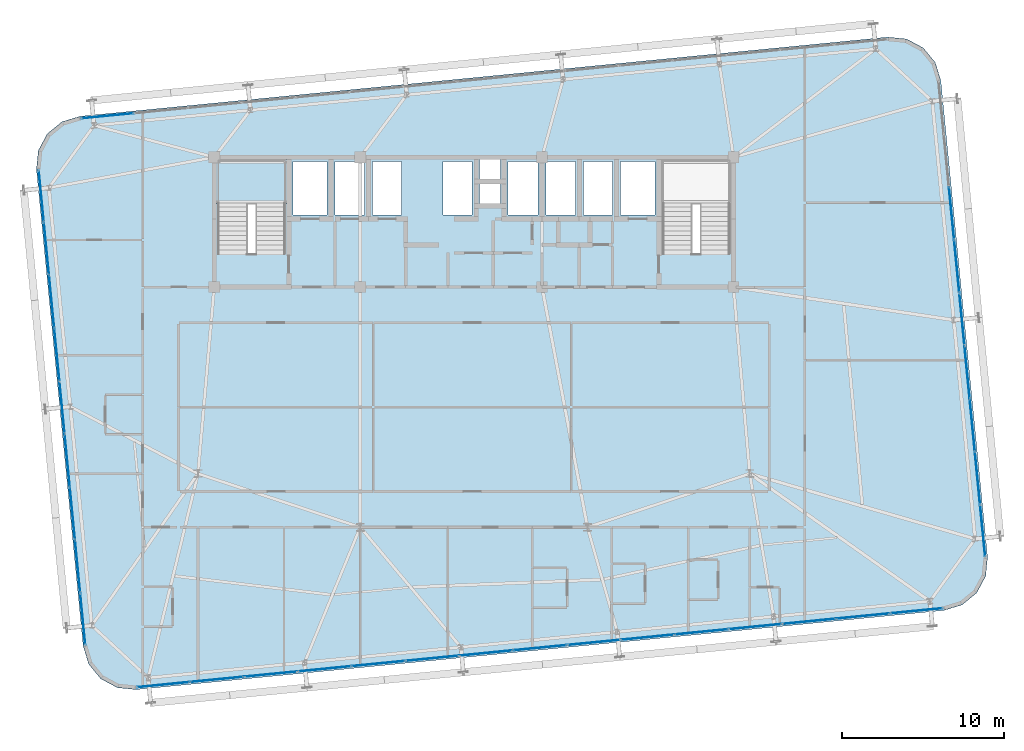
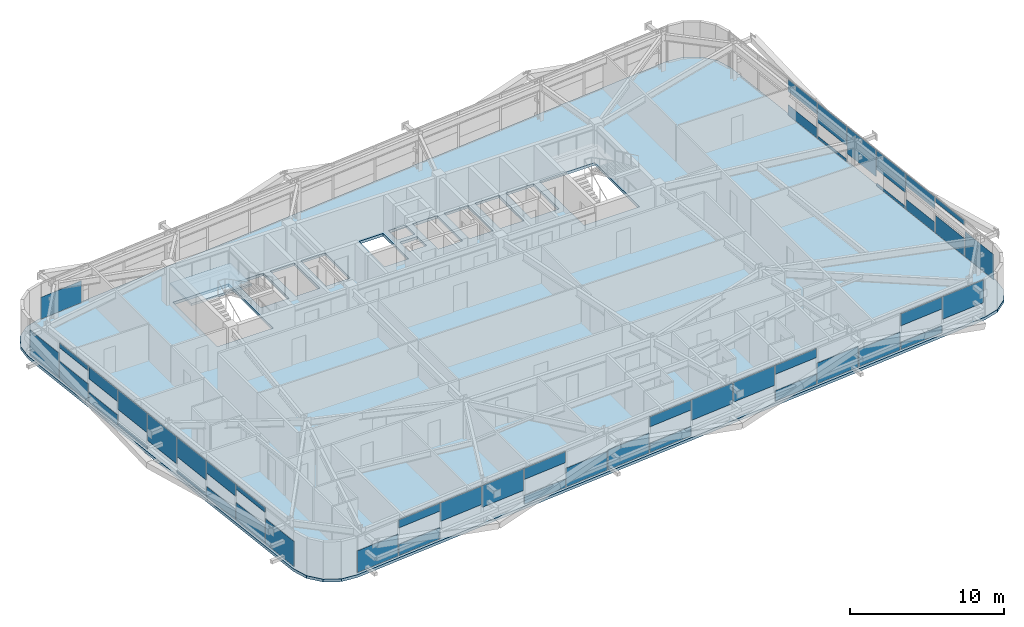
# One storey, part 36 of 54: 48 plates, 2 slabs, 5 elements without a shape of their own.
"""IFC4 building model written with IfcOpenShell, lengths in metres."""

from ifc_helpers import new_model, si_unit, direction, frame, origin, origin_2d, place, context, subcontext, project, spatial, polyline, rectangle, outline, extrude, source, transform, mapped, material, layer, layer_set, type_object, element, aggregate, save


model = new_model("IFC4")

# Units and contexts
model_context = context("Model", 3, precision=1e-05, world=origin(), true_north=direction((0.0, 1.0)))
body_context = subcontext(model_context, "Body", "Model", "MODEL_VIEW")
ifc_project = project(units=[si_unit("LENGTHUNIT", "METRE"), si_unit("AREAUNIT", "SQUARE_METRE"), si_unit("VOLUMEUNIT", "CUBIC_METRE"), si_unit("PLANEANGLEUNIT", "RADIAN"), si_unit("MASSUNIT", "GRAM", prefix="KILO")], contexts=[model_context])

# Site, building, storey
site_placement = place(None, origin())
site = spatial("IfcSite", under=ifc_project, at=site_placement, CompositionType="ELEMENT")
building_placement = place(site_placement, origin())
building = spatial("IfcBuilding", under=site, at=building_placement, Name="Taldren Reach Tower", CompositionType="ELEMENT")
storey_placement = place(building_placement, frame((0.0, 0.0, 102.89990234375)))
storey = spatial("IfcBuildingStorey", under=building, at=storey_placement, Name="L31", CompositionType="ELEMENT", Elevation=102.89990234375)

# Slab
ifc_material_1 = material(Name="Concrete N40 (40 MPa)", Category="concrete")
ifc_layer_1 = layer(ifc_material_1, 0.219970703125)
ifc_layer_set_1 = layer_set([ifc_layer_1], Name="Concrete N40 (40 MPa)")
slab_type_1 = type_object("IfcSlabType", Name="SL-FLR-220", PredefinedType="FLOOR", material=ifc_layer_set_1)
slab_1_placement = place(storey_placement, frame((0.0, 0.0, -0.219970703125)))
element("IfcSlab", 1, at=slab_1_placement, inside=storey, type_object=slab_type_1, Name="Suspended floor slab L31", PredefinedType="FLOOR", context=body_context, shape_type="SweptSolid", body=[
    extrude(outline(polyline([(63.962890625, 4.07421875), (65.0830078125, 4.41357421875), (65.98828125, 5.15576171875), (66.54052734375, 6.187744140625), (66.65576171875, 7.352783203125), (63.777099609375, 36.7119140625), (63.437744140625, 37.832275390625), (62.695556640625, 38.7373046875), (61.663330078125, 39.28955078125), (60.49853515625, 39.40478515625), (10.7373046875, 34.525634765625), (9.616943359375, 34.1865234375), (8.711669921875, 33.4443359375), (8.159423828125, 32.412109375), (8.044189453125, 31.247314453125), (10.923095703125, 1.88818359375), (11.26220703125, 0.767822265625), (12.00439453125, -0.137451171875), (13.03662109375, -0.689697265625), (14.201416015625, -0.804931640625), (63.962890625, 4.07421875)]), holes=[polyline([(19.219970703125, 26.050048828125), (23.3798828125, 26.050048828125), (23.3798828125, 31.820068359375), (19.219970703125, 31.820068359375), (19.219970703125, 26.050048828125)]), polyline([(46.6201171875, 26.050048828125), (50.780029296875, 26.050048828125), (50.780029296875, 31.820068359375), (46.6201171875, 31.820068359375), (46.6201171875, 26.050048828125)]), polyline([(23.85009765625, 28.449951171875), (25.949951171875, 28.449951171875), (25.949951171875, 31.75), (23.85009765625, 31.75), (23.85009765625, 28.449951171875)]), polyline([(44.050048828125, 28.449951171875), (46.14990234375, 28.449951171875), (46.14990234375, 31.75), (44.050048828125, 31.75), (44.050048828125, 28.449951171875)]), polyline([(26.449951171875, 28.449951171875), (28.25, 28.449951171875), (28.25, 31.75), (26.449951171875, 31.75), (26.449951171875, 28.449951171875)]), polyline([(28.75, 28.449951171875), (30.550048828125, 28.449951171875), (30.550048828125, 31.75), (28.75, 31.75), (28.75, 28.449951171875)]), polyline([(33.10009765625, 28.449951171875), (34.89990234375, 28.449951171875), (34.89990234375, 31.75), (33.10009765625, 31.75), (33.10009765625, 28.449951171875)]), polyline([(37.10009765625, 28.449951171875), (38.949951171875, 28.449951171875), (38.949951171875, 31.75), (37.10009765625, 31.75), (37.10009765625, 28.449951171875)]), polyline([(39.449951171875, 28.449951171875), (41.25, 28.449951171875), (41.25, 31.75), (39.449951171875, 31.75), (39.449951171875, 28.449951171875)]), polyline([(41.75, 28.449951171875), (43.550048828125, 28.449951171875), (43.550048828125, 31.75), (41.75, 31.75), (41.75, 28.449951171875)]), polyline([(35.35009765625, 30.64990234375), (36.64990234375, 30.64990234375), (36.64990234375, 31.85009765625), (35.35009765625, 31.85009765625), (35.35009765625, 30.64990234375)]), polyline([(35.35009765625, 29.14990234375), (36.64990234375, 29.14990234375), (36.64990234375, 30.35009765625), (35.35009765625, 30.35009765625), (35.35009765625, 29.14990234375)])]), origin(), (0.0, 0.0, 1.0), 0.219970703125),
])

# Stair, slab
ifc_material_2 = material(Name="Concrete S50 (50 MPa)", Category="concrete")
stair_type = type_object("IfcStairType", Name="ST-HT-315", PredefinedType="HALF_TURN_STAIR", material=ifc_material_2)
stair_placement = place(storey_placement, origin())
stair = element("IfcStair", 2, at=stair_placement, inside=storey, type_object=stair_type, Name="Fire-isolated exit stair ST1 L31", PredefinedType="HALF_TURN_STAIR")
ifc_layer_2 = layer(ifc_material_2, 0.179931640625)
ifc_layer_set_2 = layer_set([ifc_layer_2], Name="Concrete S50 (50 MPa)")
slab_type_2 = type_object("IfcSlabType", Name="SL-LAND-180", PredefinedType="LANDING", material=ifc_layer_set_2)
slab_2_placement = place(storey_placement, frame((0.0, 0.0, 1.39501953125)))
slab_2 = element("IfcSlab", 3, at=slab_2_placement, type_object=slab_type_2, Name="ST1 landing 1", PredefinedType="LANDING", context=body_context, shape_type="SweptSolid", body=[
    extrude(outline(polyline([(19.0400390625, 29.135009765625), (23.56005859375, 29.135009765625), (23.56005859375, 31.8701171875), (19.0400390625, 31.8701171875), (19.0400390625, 29.135009765625)])), origin(), (0.0, 0.0, 1.0), 0.18017578125),
])
aggregate(stair, [slab_2])

# Curtain wall, plate
ifc_material_3 = material(Name="Aluminium and Low-E Glass Unitised System", Category="aluminium")
ifc_layer_3 = layer(ifc_material_3, 0.159912109375)
ifc_layer_set_3 = layer_set([ifc_layer_3], Name="Aluminium and Low-E Glass Unitised System")
curtain_wall_type = type_object("IfcCurtainWallType", Name="CW-SYS-3", PredefinedType="NOTDEFINED", material=ifc_layer_set_3)
curtain_wall_1_placement = place(storey_placement, origin())
curtain_wall_1 = element("IfcCurtainWall", 4, at=curtain_wall_1_placement, inside=storey, type_object=curtain_wall_type, Name="Unitised curtain wall CW-L31-S", PredefinedType="NOTDEFINED")
ifc_material_4 = material(Name="Solar-Control Double Glazed IGU", Category="glass")
ifc_layer_4 = layer(ifc_material_4, 0.031982421875)
ifc_layer_set_4 = layer_set([ifc_layer_4], Name="Solar-Control Double Glazed IGU")
plate_type = type_object("IfcPlateType", Name="CW-PNL-IGU32", PredefinedType="CURTAIN_PANEL", material=ifc_layer_set_4)
shared_shape_1 = source(origin(), body_context, "Body", "SweptSolid", [
    extrude(rectangle(XDim=3.23583984375, YDim=0.031982421875, at=origin_2d()), origin(), (0.0, 0.0, 1.0), 1.72509765625),
])
plate_1_placement = place(storey_placement, frame((15.862548828125, -0.501220703125, 0.05517578125), z_axis=(0.0, 0.0, 1.0), x_axis=(0.995227390247, 0.097582999046, 0.0)))
plate_1 = element("IfcPlate", 5, at=plate_1_placement, type_object=plate_type, Name="CW-3 panel 1.1 part 1", PredefinedType="CURTAIN_PANEL", context=body_context, shape_type="MappedRepresentation", body=[
    mapped(shared_shape_1, transform((0.0, 0.0, 0.0), scale=1.0)),
])

curtain_wall_2_placement = place(storey_placement, origin())
curtain_wall_2 = element("IfcCurtainWall", 6, at=curtain_wall_2_placement, inside=storey, type_object=curtain_wall_type, Name="Unitised curtain wall CW-L31-N", PredefinedType="NOTDEFINED")
plate_2_placement = place(storey_placement, frame((12.42578125, 34.550537109375, 0.05517578125), z_axis=(0.0, 0.0, 1.0), x_axis=(-0.995227390247, -0.097582999046, 0.0)))
plate_2 = element("IfcPlate", 7, at=plate_2_placement, type_object=plate_type, Name="CW-3 panel 15.1 part 1", PredefinedType="CURTAIN_PANEL", context=body_context, shape_type="MappedRepresentation", body=[
    mapped(shared_shape_1, transform((0.0, 0.0, 0.0), scale=1.0)),
])
aggregate(curtain_wall_2, [plate_2])

# Plate
shared_shape_2 = source(origin(), body_context, "Body", "SweptSolid", [
    extrude(rectangle(XDim=3.268310546875, YDim=0.031982421875, at=origin_2d()), origin(), (0.0, 0.0, 1.0), 0.88818359375),
])
plate_3_placement = place(storey_placement, frame((19.163818359375, -0.177734375, 0.05517578125), z_axis=(0.0, 0.0, 1.0), x_axis=(0.995227390247, 0.097582999046, 0.0)))
plate_3 = element("IfcPlate", 8, at=plate_3_placement, type_object=plate_type, Name="CW-3 panel 2.1 part 1", PredefinedType="CURTAIN_PANEL", context=body_context, shape_type="MappedRepresentation", body=[
    mapped(shared_shape_2, transform((0.0, 0.0, 0.0), scale=1.0)),
])

shared_shape_3 = source(origin(), body_context, "Body", "SweptSolid", [
    extrude(rectangle(XDim=3.268310546875, YDim=0.031982421875, at=origin_2d()), origin(), (0.0, 0.0, 1.0), 0.626953125),
])
plate_4_placement = place(storey_placement, frame((19.163818359375, -0.177734375, 2.248046875), z_axis=(0.0, 0.0, 1.0), x_axis=(0.995227390247, 0.097582999046, 0.0)))
plate_4 = element("IfcPlate", 9, at=plate_4_placement, type_object=plate_type, Name="CW-3 panel 2.1 part 2", PredefinedType="CURTAIN_PANEL", context=body_context, shape_type="MappedRepresentation", body=[
    mapped(shared_shape_3, transform((0.0, 0.0, 0.0), scale=1.0)),
])

shared_shape_4 = source(origin(), body_context, "Body", "SweptSolid", [
    extrude(rectangle(XDim=3.268310546875, YDim=0.031982421875, at=origin_2d()), origin(), (0.0, 0.0, 1.0), 1.4638671875),
])
plate_5_placement = place(storey_placement, frame((22.481201171875, 0.147705078125, 1.411376953125), z_axis=(0.0, 0.0, 1.0), x_axis=(0.995227390247, 0.097582999046, 0.0)))
plate_5 = element("IfcPlate", 10, at=plate_5_placement, type_object=plate_type, Name="CW-3 panel 3.1 part 1", PredefinedType="CURTAIN_PANEL", context=body_context, shape_type="MappedRepresentation", body=[
    mapped(shared_shape_4, transform((0.0, 0.0, 0.0), scale=1.0)),
])

shared_shape_5 = source(origin(), body_context, "Body", "SweptSolid", [
    extrude(rectangle(XDim=3.268310546875, YDim=0.031982421875, at=origin_2d()), origin(), (0.0, 0.0, 1.0), 1.704833984375),
])
plate_6_placement = place(storey_placement, frame((25.798828125, 0.472900390625, 1.17041015625), z_axis=(0.0, 0.0, 1.0), x_axis=(0.995227390247, 0.097582999046, 0.0)))
plate_6 = element("IfcPlate", 11, at=plate_6_placement, type_object=plate_type, Name="CW-3 panel 4.1 part 1", PredefinedType="CURTAIN_PANEL", context=body_context, shape_type="MappedRepresentation", body=[
    mapped(shared_shape_5, transform((0.0, 0.0, 0.0), scale=1.0)),
])

shared_shape_6 = source(origin(), body_context, "Body", "SweptSolid", [
    extrude(rectangle(XDim=3.268310546875, YDim=0.031982421875, at=origin_2d()), origin(), (0.0, 0.0, 1.0), 0.647216796875),
])
plate_7_placement = place(storey_placement, frame((29.1162109375, 0.798095703125, 0.05517578125), z_axis=(0.0, 0.0, 1.0), x_axis=(0.995227390247, 0.097582999046, 0.0)))
plate_7 = element("IfcPlate", 12, at=plate_7_placement, type_object=plate_type, Name="CW-3 panel 5.1 part 1", PredefinedType="CURTAIN_PANEL", context=body_context, shape_type="MappedRepresentation", body=[
    mapped(shared_shape_6, transform((0.0, 0.0, 0.0), scale=1.0)),
])

shared_shape_7 = source(origin(), body_context, "Body", "SweptSolid", [
    extrude(rectangle(XDim=3.268310546875, YDim=0.031982421875, at=origin_2d()), origin(), (0.0, 0.0, 1.0), 0.867919921875),
])
plate_8_placement = place(storey_placement, frame((29.1162109375, 0.798095703125, 2.00732421875), z_axis=(0.0, 0.0, 1.0), x_axis=(0.995227390247, 0.097582999046, 0.0)))
plate_8 = element("IfcPlate", 13, at=plate_8_placement, type_object=plate_type, Name="CW-3 panel 5.1 part 2", PredefinedType="CURTAIN_PANEL", context=body_context, shape_type="MappedRepresentation", body=[
    mapped(shared_shape_7, transform((0.0, 0.0, 0.0), scale=1.0)),
])

shared_shape_8 = source(origin(), body_context, "Body", "SweptSolid", [
    extrude(rectangle(XDim=3.268310546875, YDim=0.031982421875, at=origin_2d()), origin(), (0.0, 0.0, 1.0), 1.484130859375),
])
plate_9_placement = place(storey_placement, frame((32.43359375, 1.12353515625, 0.05517578125), z_axis=(0.0, 0.0, 1.0), x_axis=(0.995227390247, 0.097582999046, 0.0)))
plate_9 = element("IfcPlate", 14, at=plate_9_placement, type_object=plate_type, Name="CW-3 panel 6.1 part 1", PredefinedType="CURTAIN_PANEL", context=body_context, shape_type="MappedRepresentation", body=[
    mapped(shared_shape_8, transform((0.0, 0.0, 0.0), scale=1.0)),
])

shared_shape_9 = source(origin(), body_context, "Body", "SweptSolid", [
    extrude(rectangle(XDim=3.268310546875, YDim=0.031982421875, at=origin_2d()), origin(), (0.0, 0.0, 1.0), 1.564453125),
])
plate_10_placement = place(storey_placement, frame((35.7509765625, 1.44873046875, 0.05517578125), z_axis=(0.0, 0.0, 1.0), x_axis=(0.995227390247, 0.097582999046, 0.0)))
plate_10 = element("IfcPlate", 15, at=plate_10_placement, type_object=plate_type, Name="CW-3 panel 7.1 part 1", PredefinedType="CURTAIN_PANEL", context=body_context, shape_type="MappedRepresentation", body=[
    mapped(shared_shape_9, transform((0.0, 0.0, 0.0), scale=1.0)),
])

shared_shape_10 = source(origin(), body_context, "Body", "SweptSolid", [
    extrude(rectangle(XDim=3.268310546875, YDim=0.031982421875, at=origin_2d()), origin(), (0.0, 0.0, 1.0), 0.7275390625),
])
plate_11_placement = place(storey_placement, frame((39.068359375, 1.77392578125, 0.05517578125), z_axis=(0.0, 0.0, 1.0), x_axis=(0.995227390247, 0.097582999046, 0.0)))
plate_11 = element("IfcPlate", 16, at=plate_11_placement, type_object=plate_type, Name="CW-3 panel 8.1 part 1", PredefinedType="CURTAIN_PANEL", context=body_context, shape_type="MappedRepresentation", body=[
    mapped(shared_shape_10, transform((0.0, 0.0, 0.0), scale=1.0)),
])

shared_shape_11 = source(origin(), body_context, "Body", "SweptSolid", [
    extrude(rectangle(XDim=3.268310546875, YDim=0.031982421875, at=origin_2d()), origin(), (0.0, 0.0, 1.0), 0.78759765625),
])
plate_12_placement = place(storey_placement, frame((39.068359375, 1.77392578125, 2.08740234375), z_axis=(0.0, 0.0, 1.0), x_axis=(0.995227390247, 0.097582999046, 0.0)))
plate_12 = element("IfcPlate", 17, at=plate_12_placement, type_object=plate_type, Name="CW-3 panel 8.1 part 2", PredefinedType="CURTAIN_PANEL", context=body_context, shape_type="MappedRepresentation", body=[
    mapped(shared_shape_11, transform((0.0, 0.0, 0.0), scale=1.0)),
])

shared_shape_12 = source(origin(), body_context, "Body", "SweptSolid", [
    extrude(rectangle(XDim=3.268310546875, YDim=0.031982421875, at=origin_2d()), origin(), (0.0, 0.0, 1.0), 1.62451171875),
])
plate_13_placement = place(storey_placement, frame((42.3857421875, 2.099365234375, 1.250732421875), z_axis=(0.0, 0.0, 1.0), x_axis=(0.995227390247, 0.097582999046, 0.0)))
plate_13 = element("IfcPlate", 18, at=plate_13_placement, type_object=plate_type, Name="CW-3 panel 9.1 part 1", PredefinedType="CURTAIN_PANEL", context=body_context, shape_type="MappedRepresentation", body=[
    mapped(shared_shape_12, transform((0.0, 0.0, 0.0), scale=1.0)),
])

shared_shape_13 = source(origin(), body_context, "Body", "SweptSolid", [
    extrude(rectangle(XDim=3.268310546875, YDim=0.031982421875, at=origin_2d()), origin(), (0.0, 0.0, 1.0), 1.544189453125),
])
plate_14_placement = place(storey_placement, frame((45.703369140625, 2.424560546875, 1.3310546875), z_axis=(0.0, 0.0, 1.0), x_axis=(0.995227390247, 0.097582999046, 0.0)))
plate_14 = element("IfcPlate", 19, at=plate_14_placement, type_object=plate_type, Name="CW-3 panel 10.1 part 1", PredefinedType="CURTAIN_PANEL", context=body_context, shape_type="MappedRepresentation", body=[
    mapped(shared_shape_13, transform((0.0, 0.0, 0.0), scale=1.0)),
])

shared_shape_14 = source(origin(), body_context, "Body", "SweptSolid", [
    extrude(rectangle(XDim=3.268310546875, YDim=0.031982421875, at=origin_2d()), origin(), (0.0, 0.0, 1.0), 0.807861328125),
])
plate_15_placement = place(storey_placement, frame((49.020751953125, 2.749755859375, 0.05517578125), z_axis=(0.0, 0.0, 1.0), x_axis=(0.995227390247, 0.097582999046, 0.0)))
plate_15 = element("IfcPlate", 20, at=plate_15_placement, type_object=plate_type, Name="CW-3 panel 11.1 part 1", PredefinedType="CURTAIN_PANEL", context=body_context, shape_type="MappedRepresentation", body=[
    mapped(shared_shape_14, transform((0.0, 0.0, 0.0), scale=1.0)),
])

shared_shape_15 = source(origin(), body_context, "Body", "SweptSolid", [
    extrude(rectangle(XDim=3.268310546875, YDim=0.031982421875, at=origin_2d()), origin(), (0.0, 0.0, 1.0), 0.707275390625),
])
plate_16_placement = place(storey_placement, frame((49.020751953125, 2.749755859375, 2.16796875), z_axis=(0.0, 0.0, 1.0), x_axis=(0.995227390247, 0.097582999046, 0.0)))
plate_16 = element("IfcPlate", 21, at=plate_16_placement, type_object=plate_type, Name="CW-3 panel 11.1 part 2", PredefinedType="CURTAIN_PANEL", context=body_context, shape_type="MappedRepresentation", body=[
    mapped(shared_shape_15, transform((0.0, 0.0, 0.0), scale=1.0)),
])

shared_shape_16 = source(origin(), body_context, "Body", "SweptSolid", [
    extrude(rectangle(XDim=3.268310546875, YDim=0.031982421875, at=origin_2d()), origin(), (0.0, 0.0, 1.0), 1.644775390625),
])
plate_17_placement = place(storey_placement, frame((52.338134765625, 3.0751953125, 0.05517578125), z_axis=(0.0, 0.0, 1.0), x_axis=(0.995227390247, 0.097582999046, 0.0)))
plate_17 = element("IfcPlate", 22, at=plate_17_placement, type_object=plate_type, Name="CW-3 panel 12.1 part 1", PredefinedType="CURTAIN_PANEL", context=body_context, shape_type="MappedRepresentation", body=[
    mapped(shared_shape_16, transform((0.0, 0.0, 0.0), scale=1.0)),
])

shared_shape_17 = source(origin(), body_context, "Body", "SweptSolid", [
    extrude(rectangle(XDim=3.268310546875, YDim=0.031982421875, at=origin_2d()), origin(), (0.0, 0.0, 1.0), 1.40380859375),
])
plate_18_placement = place(storey_placement, frame((55.655517578125, 3.400390625, 0.05517578125), z_axis=(0.0, 0.0, 1.0), x_axis=(0.995227390247, 0.097582999046, 0.0)))
plate_18 = element("IfcPlate", 23, at=plate_18_placement, type_object=plate_type, Name="CW-3 panel 13.1 part 1", PredefinedType="CURTAIN_PANEL", context=body_context, shape_type="MappedRepresentation", body=[
    mapped(shared_shape_17, transform((0.0, 0.0, 0.0), scale=1.0)),
])

shared_shape_18 = source(origin(), body_context, "Body", "SweptSolid", [
    extrude(rectangle(XDim=3.268310546875, YDim=0.031982421875, at=origin_2d()), origin(), (0.0, 0.0, 1.0), 0.56689453125),
])
plate_19_placement = place(storey_placement, frame((58.972900390625, 3.7255859375, 0.05517578125), z_axis=(0.0, 0.0, 1.0), x_axis=(0.995227390247, 0.097582999046, 0.0)))
plate_19 = element("IfcPlate", 24, at=plate_19_placement, type_object=plate_type, Name="CW-3 panel 14.1 part 1", PredefinedType="CURTAIN_PANEL", context=body_context, shape_type="MappedRepresentation", body=[
    mapped(shared_shape_18, transform((0.0, 0.0, 0.0), scale=1.0)),
])

shared_shape_19 = source(origin(), body_context, "Body", "SweptSolid", [
    extrude(rectangle(XDim=3.268310546875, YDim=0.031982421875, at=origin_2d()), origin(), (0.0, 0.0, 1.0), 0.9482421875),
])
plate_20_placement = place(storey_placement, frame((58.972900390625, 3.7255859375, 1.9267578125), z_axis=(0.0, 0.0, 1.0), x_axis=(0.995227390247, 0.097582999046, 0.0)))
plate_20 = element("IfcPlate", 25, at=plate_20_placement, type_object=plate_type, Name="CW-3 panel 14.1 part 2", PredefinedType="CURTAIN_PANEL", context=body_context, shape_type="MappedRepresentation", body=[
    mapped(shared_shape_19, transform((0.0, 0.0, 0.0), scale=1.0)),
])

shared_shape_20 = source(origin(), body_context, "Body", "SweptSolid", [
    extrude(rectangle(XDim=3.23583984375, YDim=0.031982421875, at=origin_2d()), origin(), (0.0, 0.0, 1.0), 1.78515625),
])
plate_21_placement = place(storey_placement, frame((62.274169921875, 4.04931640625, 1.090087890625), z_axis=(0.0, 0.0, 1.0), x_axis=(0.995227390247, 0.097582999046, 0.0)))
plate_21 = element("IfcPlate", 26, at=plate_21_placement, type_object=plate_type, Name="CW-3 panel 15.1 part 1", PredefinedType="CURTAIN_PANEL", context=body_context, shape_type="MappedRepresentation", body=[
    mapped(shared_shape_20, transform((0.0, 0.0, 0.0), scale=1.0)),
])

aggregate(curtain_wall_1, [plate_1, plate_3, plate_4, plate_5, plate_6, plate_7, plate_8, plate_9, plate_10, plate_11, plate_12, plate_13, plate_14, plate_15, plate_16, plate_17, plate_18, plate_19, plate_20, plate_21])

# Curtain wall, plates
curtain_wall_3_placement = place(storey_placement, origin())
curtain_wall_3 = element("IfcCurtainWall", 27, at=curtain_wall_3_placement, inside=storey, type_object=curtain_wall_type, Name="Unitised curtain wall CW-L31-W", PredefinedType="NOTDEFINED")
shared_shape_21 = source(origin(), body_context, "Body", "SweptSolid", [
    extrude(rectangle(XDim=3.18017578125, YDim=0.031982421875, at=origin_2d()), origin(), (0.0, 0.0, 1.0), 1.989501953125),
])
plate_22_placement = place(storey_placement, frame((8.34521484375, 29.61376953125, 0.05517578125), z_axis=(0.0, 0.0, 1.0), x_axis=(0.09758274098, -0.99522741555, 0.0)))
plate_22 = element("IfcPlate", 28, at=plate_22_placement, type_object=plate_type, Name="CW-3 panel 1.1 part 1", PredefinedType="CURTAIN_PANEL", context=body_context, shape_type="MappedRepresentation", body=[
    mapped(shared_shape_21, transform((0.0, 0.0, 0.0), scale=1.0)),
])
plate_23_placement = place(storey_placement, frame((10.90087890625, 3.549072265625, 0.05517578125), z_axis=(0.0, 0.0, 1.0), x_axis=(0.09758274098, -0.99522741555, 0.0)))
plate_23 = element("IfcPlate", 29, at=plate_23_placement, type_object=plate_type, Name="CW-3 panel 9.1 part 1", PredefinedType="CURTAIN_PANEL", context=body_context, shape_type="MappedRepresentation", body=[
    mapped(shared_shape_21, transform((0.0, 0.0, 0.0), scale=1.0)),
])

# Curtain wall, plate
curtain_wall_4_placement = place(storey_placement, origin())
curtain_wall_4 = element("IfcCurtainWall", 30, at=curtain_wall_4_placement, inside=storey, type_object=curtain_wall_type, Name="Unitised curtain wall CW-L31-E", PredefinedType="NOTDEFINED")
plate_24_placement = place(storey_placement, frame((66.35498046875, 8.986328125, 0.05517578125), z_axis=(0.0, 0.0, 1.0), x_axis=(-0.09758274098, 0.99522741555, 0.0)))
plate_24 = element("IfcPlate", 31, at=plate_24_placement, type_object=plate_type, Name="CW-3 panel 1.1 part 1", PredefinedType="CURTAIN_PANEL", context=body_context, shape_type="MappedRepresentation", body=[
    mapped(shared_shape_21, transform((0.0, 0.0, 0.0), scale=1.0)),
])

# Plate
shared_shape_22 = source(origin(), body_context, "Body", "SweptSolid", [
    extrude(rectangle(XDim=3.212890625, YDim=0.031982421875, at=origin_2d()), origin(), (0.0, 0.0, 1.0), 1.401611328125),
])
plate_25_placement = place(storey_placement, frame((8.663330078125, 26.36767578125, 0.05517578125), z_axis=(0.0, 0.0, 1.0), x_axis=(0.09758274098, -0.99522741555, 0.0)))
plate_25 = element("IfcPlate", 32, at=plate_25_placement, type_object=plate_type, Name="CW-3 panel 2.1 part 1", PredefinedType="CURTAIN_PANEL", context=body_context, shape_type="MappedRepresentation", body=[
    mapped(shared_shape_22, transform((0.0, 0.0, 0.0), scale=1.0)),
])

plate_26_placement = place(storey_placement, frame((10.58251953125, 6.794921875, 0.05517578125), z_axis=(0.0, 0.0, 1.0), x_axis=(0.09758274098, -0.99522741555, 0.0)))
plate_26 = element("IfcPlate", 33, at=plate_26_placement, type_object=plate_type, Name="CW-3 panel 8.1 part 1", PredefinedType="CURTAIN_PANEL", context=body_context, shape_type="MappedRepresentation", body=[
    mapped(shared_shape_22, transform((0.0, 0.0, 0.0), scale=1.0)),
])

plate_27_placement = place(storey_placement, frame((66.03662109375, 12.232177734375, 0.05517578125), z_axis=(0.0, 0.0, 1.0), x_axis=(-0.09758274098, 0.99522741555, 0.0)))
plate_27 = element("IfcPlate", 34, at=plate_27_placement, type_object=plate_type, Name="CW-3 panel 2.1 part 1", PredefinedType="CURTAIN_PANEL", context=body_context, shape_type="MappedRepresentation", body=[
    mapped(shared_shape_22, transform((0.0, 0.0, 0.0), scale=1.0)),
])

shared_shape_23 = source(origin(), body_context, "Body", "SweptSolid", [
    extrude(rectangle(XDim=3.212890625, YDim=0.031982421875, at=origin_2d()), origin(), (0.0, 0.0, 1.0), 0.36474609375),
])
plate_28_placement = place(storey_placement, frame((8.663330078125, 26.36767578125, 2.51025390625), z_axis=(0.0, 0.0, 1.0), x_axis=(0.09758274098, -0.99522741555, 0.0)))
plate_28 = element("IfcPlate", 35, at=plate_28_placement, type_object=plate_type, Name="CW-3 panel 2.1 part 2", PredefinedType="CURTAIN_PANEL", context=body_context, shape_type="MappedRepresentation", body=[
    mapped(shared_shape_23, transform((0.0, 0.0, 0.0), scale=1.0)),
])

plate_29_placement = place(storey_placement, frame((10.58251953125, 6.794921875, 2.51025390625), z_axis=(0.0, 0.0, 1.0), x_axis=(0.09758274098, -0.99522741555, 0.0)))
plate_29 = element("IfcPlate", 36, at=plate_29_placement, type_object=plate_type, Name="CW-3 panel 8.1 part 2", PredefinedType="CURTAIN_PANEL", context=body_context, shape_type="MappedRepresentation", body=[
    mapped(shared_shape_23, transform((0.0, 0.0, 0.0), scale=1.0)),
])

plate_30_placement = place(storey_placement, frame((66.03662109375, 12.232177734375, 2.51025390625), z_axis=(0.0, 0.0, 1.0), x_axis=(-0.09758274098, 0.99522741555, 0.0)))
plate_30 = element("IfcPlate", 37, at=plate_30_placement, type_object=plate_type, Name="CW-3 panel 2.1 part 2", PredefinedType="CURTAIN_PANEL", context=body_context, shape_type="MappedRepresentation", body=[
    mapped(shared_shape_23, transform((0.0, 0.0, 0.0), scale=1.0)),
])

shared_shape_24 = source(origin(), body_context, "Body", "SweptSolid", [
    extrude(rectangle(XDim=3.212890625, YDim=0.031982421875, at=origin_2d()), origin(), (0.0, 0.0, 1.0), 0.81396484375),
])
plate_31_placement = place(storey_placement, frame((8.983154296875, 23.105712890625, 0.05517578125), z_axis=(0.0, 0.0, 1.0), x_axis=(0.09758274098, -0.99522741555, 0.0)))
plate_31 = element("IfcPlate", 38, at=plate_31_placement, type_object=plate_type, Name="CW-3 panel 3.1 part 1", PredefinedType="CURTAIN_PANEL", context=body_context, shape_type="MappedRepresentation", body=[
    mapped(shared_shape_24, transform((0.0, 0.0, 0.0), scale=1.0)),
])

plate_32_placement = place(storey_placement, frame((10.2626953125, 10.05712890625, 0.05517578125), z_axis=(0.0, 0.0, 1.0), x_axis=(0.09758274098, -0.99522741555, 0.0)))
plate_32 = element("IfcPlate", 39, at=plate_32_placement, type_object=plate_type, Name="CW-3 panel 7.1 part 1", PredefinedType="CURTAIN_PANEL", context=body_context, shape_type="MappedRepresentation", body=[
    mapped(shared_shape_24, transform((0.0, 0.0, 0.0), scale=1.0)),
])

plate_33_placement = place(storey_placement, frame((65.716796875, 15.494384765625, 0.05517578125), z_axis=(0.0, 0.0, 1.0), x_axis=(-0.09758274098, 0.99522741555, 0.0)))
plate_33 = element("IfcPlate", 40, at=plate_33_placement, type_object=plate_type, Name="CW-3 panel 3.1 part 1", PredefinedType="CURTAIN_PANEL", context=body_context, shape_type="MappedRepresentation", body=[
    mapped(shared_shape_24, transform((0.0, 0.0, 0.0), scale=1.0)),
])

plate_34_placement = place(storey_placement, frame((64.437255859375, 28.54296875, 0.05517578125), z_axis=(0.0, 0.0, 1.0), x_axis=(-0.09758274098, 0.99522741555, 0.0)))
plate_34 = element("IfcPlate", 41, at=plate_34_placement, type_object=plate_type, Name="CW-3 panel 7.1 part 1", PredefinedType="CURTAIN_PANEL", context=body_context, shape_type="MappedRepresentation", body=[
    mapped(shared_shape_24, transform((0.0, 0.0, 0.0), scale=1.0)),
])

shared_shape_25 = source(origin(), body_context, "Body", "SweptSolid", [
    extrude(rectangle(XDim=3.212890625, YDim=0.031982421875, at=origin_2d()), origin(), (0.0, 0.0, 1.0), 0.95263671875),
])
plate_35_placement = place(storey_placement, frame((8.983154296875, 23.105712890625, 1.92236328125), z_axis=(0.0, 0.0, 1.0), x_axis=(0.09758274098, -0.99522741555, 0.0)))
plate_35 = element("IfcPlate", 42, at=plate_35_placement, type_object=plate_type, Name="CW-3 panel 3.1 part 2", PredefinedType="CURTAIN_PANEL", context=body_context, shape_type="MappedRepresentation", body=[
    mapped(shared_shape_25, transform((0.0, 0.0, 0.0), scale=1.0)),
])

plate_36_placement = place(storey_placement, frame((10.2626953125, 10.05712890625, 1.92236328125), z_axis=(0.0, 0.0, 1.0), x_axis=(0.09758274098, -0.99522741555, 0.0)))
plate_36 = element("IfcPlate", 43, at=plate_36_placement, type_object=plate_type, Name="CW-3 panel 7.1 part 2", PredefinedType="CURTAIN_PANEL", context=body_context, shape_type="MappedRepresentation", body=[
    mapped(shared_shape_25, transform((0.0, 0.0, 0.0), scale=1.0)),
])

plate_37_placement = place(storey_placement, frame((65.716796875, 15.494384765625, 1.92236328125), z_axis=(0.0, 0.0, 1.0), x_axis=(-0.09758274098, 0.99522741555, 0.0)))
plate_37 = element("IfcPlate", 44, at=plate_37_placement, type_object=plate_type, Name="CW-3 panel 3.1 part 2", PredefinedType="CURTAIN_PANEL", context=body_context, shape_type="MappedRepresentation", body=[
    mapped(shared_shape_25, transform((0.0, 0.0, 0.0), scale=1.0)),
])

plate_38_placement = place(storey_placement, frame((64.437255859375, 28.54296875, 1.92236328125), z_axis=(0.0, 0.0, 1.0), x_axis=(-0.09758274098, 0.99522741555, 0.0)))
plate_38 = element("IfcPlate", 45, at=plate_38_placement, type_object=plate_type, Name="CW-3 panel 7.1 part 2", PredefinedType="CURTAIN_PANEL", context=body_context, shape_type="MappedRepresentation", body=[
    mapped(shared_shape_25, transform((0.0, 0.0, 0.0), scale=1.0)),
])

shared_shape_26 = source(origin(), body_context, "Body", "SweptSolid", [
    extrude(rectangle(XDim=3.212890625, YDim=0.031982421875, at=origin_2d()), origin(), (0.0, 0.0, 1.0), 0.22607421875),
])
plate_39_placement = place(storey_placement, frame((9.30322265625, 19.843505859375, 0.05517578125), z_axis=(0.0, 0.0, 1.0), x_axis=(0.09758274098, -0.99522741555, 0.0)))
plate_39 = element("IfcPlate", 46, at=plate_39_placement, type_object=plate_type, Name="CW-3 panel 4.1 part 1", PredefinedType="CURTAIN_PANEL", context=body_context, shape_type="MappedRepresentation", body=[
    mapped(shared_shape_26, transform((0.0, 0.0, 0.0), scale=1.0)),
])

plate_40_placement = place(storey_placement, frame((9.94287109375, 13.319091796875, 0.05517578125), z_axis=(0.0, 0.0, 1.0), x_axis=(0.09758274098, -0.99522741555, 0.0)))
plate_40 = element("IfcPlate", 47, at=plate_40_placement, type_object=plate_type, Name="CW-3 panel 6.1 part 1", PredefinedType="CURTAIN_PANEL", context=body_context, shape_type="MappedRepresentation", body=[
    mapped(shared_shape_26, transform((0.0, 0.0, 0.0), scale=1.0)),
])

plate_41_placement = place(storey_placement, frame((65.39697265625, 18.756591796875, 0.05517578125), z_axis=(0.0, 0.0, 1.0), x_axis=(-0.09758274098, 0.99522741555, 0.0)))
plate_41 = element("IfcPlate", 48, at=plate_41_placement, type_object=plate_type, Name="CW-3 panel 4.1 part 1", PredefinedType="CURTAIN_PANEL", context=body_context, shape_type="MappedRepresentation", body=[
    mapped(shared_shape_26, transform((0.0, 0.0, 0.0), scale=1.0)),
])

plate_42_placement = place(storey_placement, frame((64.757080078125, 25.28076171875, 0.05517578125), z_axis=(0.0, 0.0, 1.0), x_axis=(-0.09758274098, 0.99522741555, 0.0)))
plate_42 = element("IfcPlate", 49, at=plate_42_placement, type_object=plate_type, Name="CW-3 panel 6.1 part 1", PredefinedType="CURTAIN_PANEL", context=body_context, shape_type="MappedRepresentation", body=[
    mapped(shared_shape_26, transform((0.0, 0.0, 0.0), scale=1.0)),
])

shared_shape_27 = source(origin(), body_context, "Body", "SweptSolid", [
    extrude(rectangle(XDim=3.212890625, YDim=0.031982421875, at=origin_2d()), origin(), (0.0, 0.0, 1.0), 1.54052734375),
])
plate_43_placement = place(storey_placement, frame((9.30322265625, 19.843505859375, 1.334716796875), z_axis=(0.0, 0.0, 1.0), x_axis=(0.09758274098, -0.99522741555, 0.0)))
plate_43 = element("IfcPlate", 50, at=plate_43_placement, type_object=plate_type, Name="CW-3 panel 4.1 part 2", PredefinedType="CURTAIN_PANEL", context=body_context, shape_type="MappedRepresentation", body=[
    mapped(shared_shape_27, transform((0.0, 0.0, 0.0), scale=1.0)),
])

plate_44_placement = place(storey_placement, frame((9.94287109375, 13.319091796875, 1.334716796875), z_axis=(0.0, 0.0, 1.0), x_axis=(0.09758274098, -0.99522741555, 0.0)))
plate_44 = element("IfcPlate", 51, at=plate_44_placement, type_object=plate_type, Name="CW-3 panel 6.1 part 2", PredefinedType="CURTAIN_PANEL", context=body_context, shape_type="MappedRepresentation", body=[
    mapped(shared_shape_27, transform((0.0, 0.0, 0.0), scale=1.0)),
])

plate_45_placement = place(storey_placement, frame((65.39697265625, 18.756591796875, 1.334716796875), z_axis=(0.0, 0.0, 1.0), x_axis=(-0.09758274098, 0.99522741555, 0.0)))
plate_45 = element("IfcPlate", 52, at=plate_45_placement, type_object=plate_type, Name="CW-3 panel 4.1 part 2", PredefinedType="CURTAIN_PANEL", context=body_context, shape_type="MappedRepresentation", body=[
    mapped(shared_shape_27, transform((0.0, 0.0, 0.0), scale=1.0)),
])

plate_46_placement = place(storey_placement, frame((64.757080078125, 25.28076171875, 1.334716796875), z_axis=(0.0, 0.0, 1.0), x_axis=(-0.09758274098, 0.99522741555, 0.0)))
plate_46 = element("IfcPlate", 53, at=plate_46_placement, type_object=plate_type, Name="CW-3 panel 6.1 part 2", PredefinedType="CURTAIN_PANEL", context=body_context, shape_type="MappedRepresentation", body=[
    mapped(shared_shape_27, transform((0.0, 0.0, 0.0), scale=1.0)),
])

shared_shape_28 = source(origin(), body_context, "Body", "SweptSolid", [
    extrude(rectangle(XDim=3.212890625, YDim=0.031982421875, at=origin_2d()), origin(), (0.0, 0.0, 1.0), 2.128173828125),
])
plate_47_placement = place(storey_placement, frame((9.623046875, 16.581298828125, 0.7470703125), z_axis=(0.0, 0.0, 1.0), x_axis=(0.09758274098, -0.99522741555, 0.0)))
plate_47 = element("IfcPlate", 54, at=plate_47_placement, type_object=plate_type, Name="CW-3 panel 5.1 part 1", PredefinedType="CURTAIN_PANEL", context=body_context, shape_type="MappedRepresentation", body=[
    mapped(shared_shape_28, transform((0.0, 0.0, 0.0), scale=1.0)),
])

aggregate(curtain_wall_3, [plate_22, plate_25, plate_28, plate_31, plate_35, plate_39, plate_43, plate_47, plate_40, plate_44, plate_32, plate_36, plate_26, plate_29, plate_23])

plate_48_placement = place(storey_placement, frame((65.0771484375, 22.0185546875, 0.7470703125), z_axis=(0.0, 0.0, 1.0), x_axis=(-0.09758274098, 0.99522741555, 0.0)))
plate_48 = element("IfcPlate", 55, at=plate_48_placement, type_object=plate_type, Name="CW-3 panel 5.1 part 1", PredefinedType="CURTAIN_PANEL", context=body_context, shape_type="MappedRepresentation", body=[
    mapped(shared_shape_28, transform((0.0, 0.0, 0.0), scale=1.0)),
])

aggregate(curtain_wall_4, [plate_24, plate_27, plate_30, plate_33, plate_37, plate_41, plate_45, plate_48, plate_42, plate_46, plate_34, plate_38])

save(model, "model.ifc")
